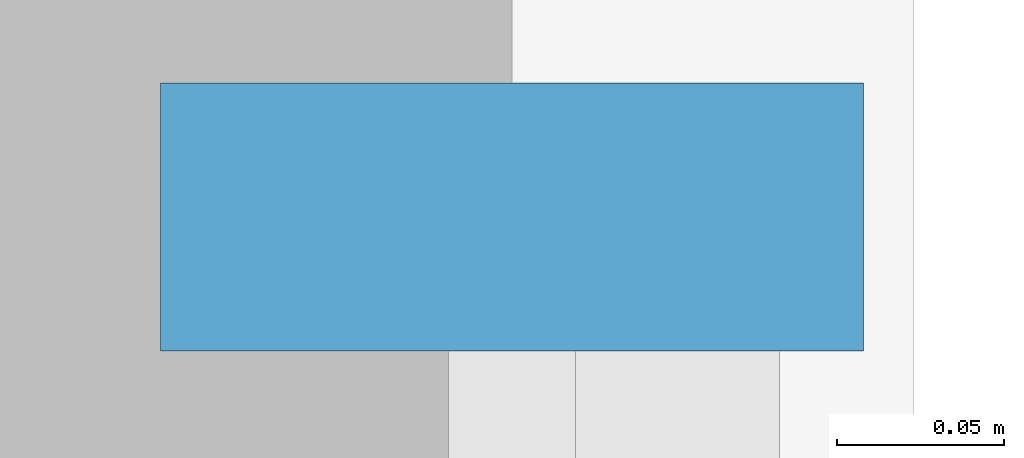
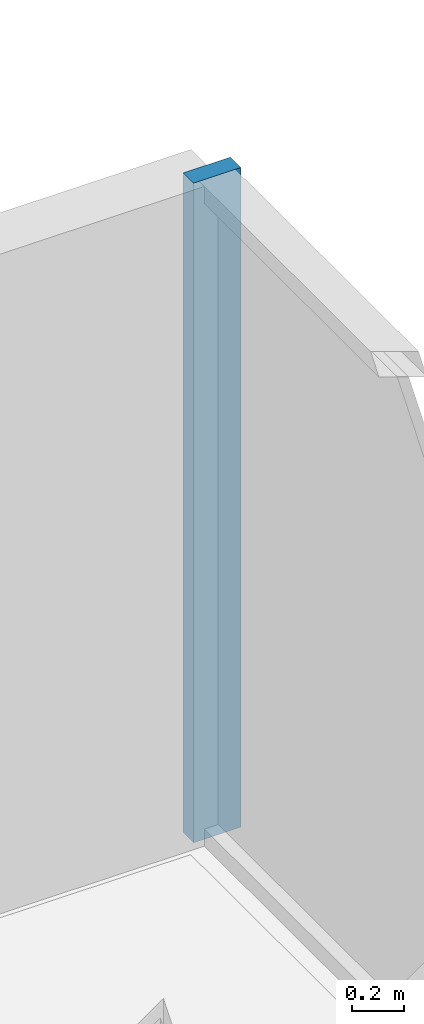
# One storey, part 5 of 11: 1 member, 1 element without a shape of its own.
"""IFC4 building model written with IfcOpenShell, lengths in metres."""

from ifc_helpers import new_model, si_unit, direction, frame, origin, origin_2d, place, context, subcontext, project, spatial, rectangle, extrude, source, transform, mapped, material, layer, layer_set, material_profile, profile_set, type_object, element, aggregate, save


model = new_model("IFC4")

# Units and contexts
model_context = context("Model", 3, precision=1e-05, world=origin(), true_north=direction((0.0, 1.0)))
body_context = subcontext(model_context, "Body", "Model", "MODEL_VIEW")
ifc_project = project(units=[si_unit("LENGTHUNIT", "METRE"), si_unit("AREAUNIT", "SQUARE_METRE"), si_unit("VOLUMEUNIT", "CUBIC_METRE"), si_unit("PLANEANGLEUNIT", "RADIAN"), si_unit("MASSUNIT", "GRAM", prefix="KILO")], contexts=[model_context])

# Site, building, storey
site_placement = place(None, origin())
site = spatial("IfcSite", under=ifc_project, at=site_placement, CompositionType="ELEMENT")
building_placement = place(site_placement, origin())
building = spatial("IfcBuilding", under=site, at=building_placement, Name="Qianlan Lanfeng Residences", CompositionType="ELEMENT")
storey_placement = place(building_placement, frame((0.0, 0.0, 104.800048828125)))
storey = spatial("IfcBuildingStorey", under=building, at=storey_placement, Name="L28", CompositionType="ELEMENT", Elevation=104.800048828125)

# Curtain wall, member
ifc_material = material(Name="Anodised Bronze Aluminium 6063-T6", Category="aluminium")
ifc_layer = layer(ifc_material, 0.219970703125)
ifc_layer_set = layer_set([ifc_layer], Name="Anodised Bronze Aluminium 6063-T6")
curtain_wall_type = type_object("IfcCurtainWallType", Name="CW-03", PredefinedType="NOTDEFINED", material=ifc_layer_set)
curtain_wall_placement = place(storey_placement, origin())
curtain_wall = element("IfcCurtainWall", 1, at=curtain_wall_placement, inside=storey, type_object=curtain_wall_type, Name="L28 Unitised Curtain Wall CWR-L28-05 (CW-03)", PredefinedType="NOTDEFINED")
ifc_material_profile = material_profile(ifc_material, rectangle(XDim=0.080078125, YDim=0.2099609375, at=origin_2d()), Name="ALU MULLION 80x210")
ifc_profile_set = profile_set([ifc_material_profile], Name="Anodised Bronze Aluminium 6063-T6")
member_type = type_object("IfcMemberType", Name="CWM-220", PredefinedType="MULLION", material=ifc_profile_set)
shared_shape = source(origin(), body_context, "Body", "SweptSolid", [
    extrude(rectangle(XDim=0.080078125, YDim=0.2099609375, at=origin_2d()), origin(), (0.0, 0.0, 1.0), 3.08984375),
])
member_placement = place(storey_placement, frame((51.3798828125, 35.2900390625, 0.0), z_axis=(0.0, 0.0, 1.0), x_axis=(0.0, 1.0, 0.0)))
member = element("IfcMember", 2, at=member_placement, type_object=member_type, Name="CWR-L28-05 Mullion 3", PredefinedType="MULLION", context=body_context, shape_type="MappedRepresentation", body=[
    mapped(shared_shape, transform((0.0, 0.0, 0.0), scale=1.0)),
])
aggregate(curtain_wall, [member])

save(model, "model.ifc")
